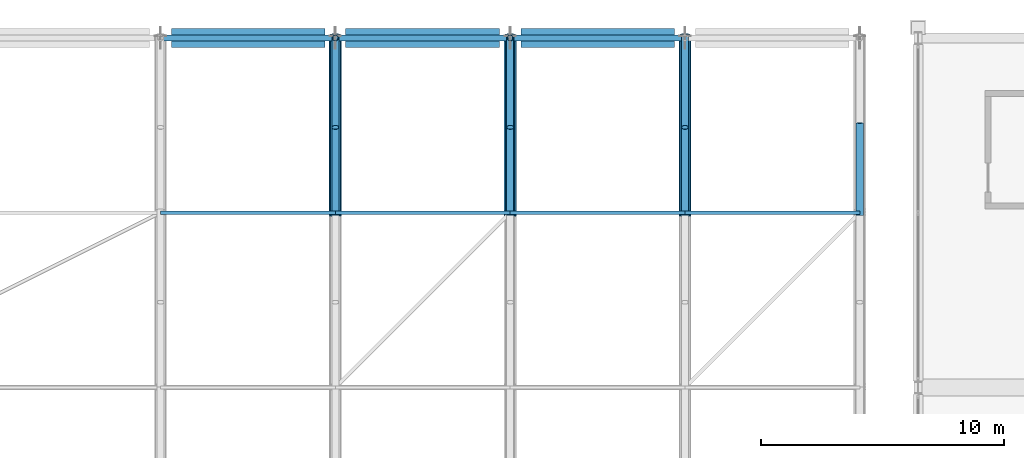
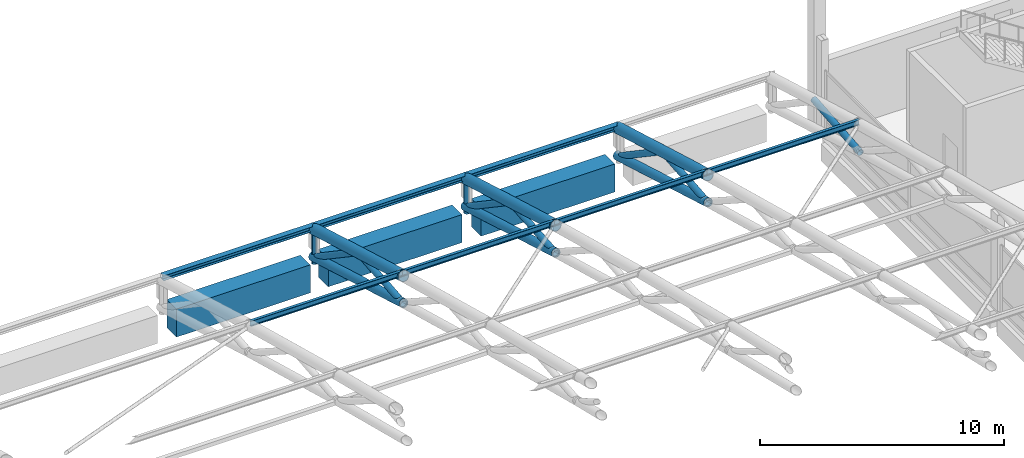
# One storey, part 101 of 193: 22 members, 3 beams.
"""IFC4 building model written with IfcOpenShell, lengths in metres."""

from ifc_helpers import new_model, si_unit, direction, frame, origin, origin_2d, place, context, subcontext, project, spatial, rectangle, hollow_circle, i_section, extrude, material, material_profile, profile_set, type_object, element, save


model = new_model("IFC4")

# Units and contexts
model_context = context("Model", 3, precision=1e-05, world=origin(), true_north=direction((0.0, 1.0)))
body_context = subcontext(model_context, "Body", "Model", "MODEL_VIEW")
ifc_project = project(units=[si_unit("LENGTHUNIT", "METRE"), si_unit("AREAUNIT", "SQUARE_METRE"), si_unit("VOLUMEUNIT", "CUBIC_METRE"), si_unit("PLANEANGLEUNIT", "RADIAN"), si_unit("MASSUNIT", "GRAM", prefix="KILO")], contexts=[model_context])

# Site, building, storey
site_placement = place(None, origin())
site = spatial("IfcSite", under=ifc_project, at=site_placement, CompositionType="ELEMENT")
building_placement = place(site_placement, origin())
building = spatial("IfcBuilding", under=site, at=building_placement, Name="Cendralis Lancet Convention Centre", CompositionType="ELEMENT")
storey_placement = place(building_placement, frame((0.0, 0.0, 10.199951171875)))
storey = spatial("IfcBuildingStorey", under=building, at=storey_placement, Name="L02", CompositionType="ELEMENT", Elevation=10.199951171875)

# Beams
ifc_material_1 = material(Name="Concrete G40 (C40/50)", Category="concrete")
ifc_material_profile_1 = material_profile(ifc_material_1, rectangle(XDim=0.800048828125, YDim=1.39990234375, at=origin_2d()), Name="RCB 800x1400")
ifc_profile_set_1 = profile_set([ifc_material_profile_1], Name="Concrete G40 (C40/50)")
beam_type = type_object("IfcBeamType", Name="STR-BM-BG17", PredefinedType="BEAM", material=ifc_profile_set_1)
for number, where, z_axis, x_axis, name in (
    (1, (94.050048828125, 136.800048828125, 1.5), (1.0, 0.0, 0.0), (0.0, 1.0, 0.0), "L02 Beam BG17 #1333"),
    (2, (101.22509765625, 136.800048828125, 1.5), (1.0, 0.0, 0.0), (0.0, 1.0, 0.0), "L02 Beam BG17 #1334"),
    (3, (108.449951171875, 136.800048828125, 1.5), (1.0, 0.0, 0.0), (0.0, 1.0, 0.0), "L02 Beam BG17 #1335"),
):
    element("IfcBeam", number, at=place(storey_placement, frame(where, z_axis=z_axis, x_axis=x_axis)), inside=storey, type_object=beam_type, Name=name, PredefinedType="BEAM", context=body_context, shape_type="SweptSolid", body=[
        extrude(rectangle(XDim=0.800048828125, YDim=1.39990234375, at=origin_2d()), origin(), (0.0, 0.0, 1.0), 6.324951171875),
    ])

# Members
ifc_material_2 = material(Name="Steel S355", Category="steel")
ifc_material_profile_2 = material_profile(ifc_material_2, i_section(OverallWidth=0.135009765625, OverallDepth=0.27001953125, WebThickness=0.006591796875, FlangeThickness=0.01025390625, FilletRadius=0.014892578125, at=origin_2d()), Name="IPE 270")
ifc_profile_set_2 = profile_set([ifc_material_profile_2], Name="Steel S355")
member_type_1 = type_object("IfcMemberType", Name="STR-PR-PR01", PredefinedType="PURLIN", material=ifc_profile_set_2)
for number, where, z_axis, x_axis, name in (
    (4, (93.60009765625, 129.60009765625, 5.771728515625), (1.0, 0.0, 0.0), (0.0, 1.0, 0.0), "Vault Roof Purlin PR01 V1-10-11"),
    (5, (100.800048828125, 129.60009765625, 5.771728515625), (1.0, 0.0, 0.0), (0.0, 1.0, 0.0), "Vault Roof Purlin PR01 V1-11-11"),
    (6, (108.0, 129.60009765625, 5.771728515625), (1.0, 0.0, 0.0), (0.0, 1.0, 0.0), "Vault Roof Purlin PR01 V1-12-11"),
    (7, (115.199951171875, 129.60009765625, 5.771728515625), (1.0, 0.0, 0.0), (0.0, 1.0, 0.0), "Vault Roof Purlin PR01 V1-13-11"),
):
    element("IfcMember", number, at=place(storey_placement, frame(where, z_axis=z_axis, x_axis=x_axis)), inside=storey, type_object=member_type_1, Name=name, PredefinedType="PURLIN", context=body_context, shape_type="SweptSolid", body=[
        extrude(i_section(OverallWidth=0.135009765625, OverallDepth=0.27001953125, WebThickness=0.006591796875, FlangeThickness=0.01025390625, FilletRadius=0.014892578125, at=origin_2d()), origin(), (0.0, 0.0, 1.0), 7.199951171875),
    ])
ifc_material_profile_3 = material_profile(ifc_material_2, i_section(OverallWidth=0.260009765625, OverallDepth=0.25, WebThickness=0.007568359375, FlangeThickness=0.012451171875, FilletRadius=0.02392578125, at=origin_2d()), Name="HEA 260")
ifc_profile_set_3 = profile_set([ifc_material_profile_3], Name="Steel S355")
member_type_2 = type_object("IfcMemberType", Name="STR-PR-PR07", PredefinedType="PURLIN", material=ifc_profile_set_3)
for number, where, z_axis, x_axis, name in (
    (8, (93.60009765625, 136.800048828125, 3.72509765625), (1.0, 0.0, 0.0), (0.0, 1.0, 0.0), "Vault Roof Purlin PR07 V1-10-12"),
    (9, (100.800048828125, 136.800048828125, 3.72509765625), (1.0, 0.0, 0.0), (0.0, 1.0, 0.0), "Vault Roof Purlin PR07 V1-11-12"),
    (10, (108.0, 136.800048828125, 3.72509765625), (1.0, 0.0, 0.0), (0.0, 1.0, 0.0), "Vault Roof Purlin PR07 V1-12-12"),
):
    element("IfcMember", number, at=place(storey_placement, frame(where, z_axis=z_axis, x_axis=x_axis)), inside=storey, type_object=member_type_2, Name=name, PredefinedType="PURLIN", context=body_context, shape_type="SweptSolid", body=[
        extrude(i_section(OverallWidth=0.260009765625, OverallDepth=0.25, WebThickness=0.007568359375, FlangeThickness=0.012451171875, FilletRadius=0.02392578125, at=origin_2d()), origin(), (0.0, 0.0, 1.0), 7.199951171875),
    ])
ifc_material_profile_4 = material_profile(ifc_material_2, hollow_circle(Radius=0.203125, WallThickness=0.01611328125, at=origin_2d()), Name="CHS 406.4x16.0")
ifc_profile_set_4 = profile_set([ifc_material_profile_4], Name="Steel S355")
member_type_3 = type_object("IfcMemberType", Name="STR-TR-BC01-INT", PredefinedType="CHORD", material=ifc_profile_set_4)
for number, where, z_axis, x_axis, name in (
    (11, (100.800048828125, 129.48486328125, 4.32763671875), (0.0, 0.960210680483, -0.279276653315), (-1.0, 0.0, 0.0), "ROOF TRUSS AT-V1-12 Bottom Chord 11"),
    (12, (108.0, 129.48486328125, 4.32763671875), (0.0, 0.960210680483, -0.279276653315), (-1.0, 0.0, 0.0), "ROOF TRUSS AT-V1-13 Bottom Chord 11"),
    (13, (115.199951171875, 129.48486328125, 4.32763671875), (0.0, 0.960210680483, -0.279276653315), (-1.0, 0.0, 0.0), "ROOF TRUSS AT-V1-14 Bottom Chord 11"),
):
    element("IfcMember", number, at=place(storey_placement, frame(where, z_axis=z_axis, x_axis=x_axis)), inside=storey, type_object=member_type_3, Name=name, PredefinedType="CHORD", context=body_context, shape_type="SweptSolid", body=[
        extrude(hollow_circle(Radius=0.203125, WallThickness=0.01611328125, at=origin_2d()), origin(), (0.0, 0.0, 1.0), 7.73828125),
    ])
ifc_material_profile_5 = material_profile(ifc_material_2, hollow_circle(Radius=0.25390625, WallThickness=0.02001953125, at=origin_2d()), Name="CHS 508.0x20.0")
ifc_profile_set_5 = profile_set([ifc_material_profile_5], Name="Steel S355")
member_type_4 = type_object("IfcMemberType", Name="STR-TR-TC01-INT", PredefinedType="CHORD", material=ifc_profile_set_5)
for number, where, z_axis, x_axis, name in (
    (14, (100.800048828125, 129.484619140625, 5.689697265625), (0.0, 0.961540636093, -0.274662711598), (-1.0, 0.0, 0.0), "ROOF TRUSS AT-V1-12 Top Chord 11"),
    (15, (108.0, 129.484619140625, 5.689697265625), (0.0, 0.961540636093, -0.274662711598), (-1.0, 0.0, 0.0), "ROOF TRUSS AT-V1-13 Top Chord 11"),
    (16, (115.199951171875, 129.484619140625, 5.689697265625), (0.0, 0.961540636093, -0.274662711598), (-1.0, 0.0, 0.0), "ROOF TRUSS AT-V1-14 Top Chord 11"),
):
    element("IfcMember", number, at=place(storey_placement, frame(where, z_axis=z_axis, x_axis=x_axis)), inside=storey, type_object=member_type_4, Name=name, PredefinedType="CHORD", context=body_context, shape_type="SweptSolid", body=[
        extrude(hollow_circle(Radius=0.25390625, WallThickness=0.02001953125, at=origin_2d()), origin(), (0.0, 0.0, 1.0), 7.727783203125),
    ])
ifc_material_profile_6 = material_profile(ifc_material_2, hollow_circle(Radius=0.149169921875, WallThickness=0.012451171875, at=origin_2d()), Name="CHS 298.5x12.5")
ifc_profile_set_6 = profile_set([ifc_material_profile_6], Name="Steel S355")
member_type_5 = type_object("IfcMemberType", Name="STR-TR-WD01", PredefinedType="BRACE", material=ifc_profile_set_6)
member_1_placement = place(storey_placement, frame((122.39990234375, 129.50048828125, 4.284912109375), z_axis=(0.0, 0.995716162115, 0.092462557307), x_axis=(-1.0, 0.0, 0.0)))
element("IfcMember", 17, at=member_1_placement, inside=storey, type_object=member_type_5, Name="ROOF TRUSS AT-V1-15 Warren Web 11-0", PredefinedType="BRACE", context=body_context, shape_type="SweptSolid", body=[
    extrude(hollow_circle(Radius=0.149169921875, WallThickness=0.012451171875, at=origin_2d()), origin(), (0.0, 0.0, 1.0), 3.8154296875),
])
ifc_material_profile_7 = material_profile(ifc_material_2, hollow_circle(Radius=0.149169921875, WallThickness=0.012451171875, at=origin_2d()), Name="CHS 298.5x12.5")
ifc_profile_set_7 = profile_set([ifc_material_profile_7], Name="Steel S355")
member_type_6 = type_object("IfcMemberType", Name="STR-TR-WD01-INT", PredefinedType="BRACE", material=ifc_profile_set_7)
member_2_placement = place(storey_placement, frame((100.800048828125, 129.50048828125, 4.284912109375), z_axis=(0.0, 0.995716162115, 0.092462557307), x_axis=(-1.0, 0.0, 0.0)))
element("IfcMember", 18, at=member_2_placement, inside=storey, type_object=member_type_6, Name="ROOF TRUSS AT-V1-12 Warren Web 11-0", PredefinedType="BRACE", context=body_context, shape_type="SweptSolid", body=[
    extrude(hollow_circle(Radius=0.149169921875, WallThickness=0.012451171875, at=origin_2d()), origin(), (0.0, 0.0, 1.0), 3.8154296875),
])
member_3_placement = place(storey_placement, frame((100.800048828125, 133.1171875, 4.684326171875), z_axis=(0.0, 0.82900316973, -0.559243904372), x_axis=(-1.0, 0.0, 0.0)))
element("IfcMember", 19, at=member_3_placement, inside=storey, type_object=member_type_6, Name="ROOF TRUSS AT-V1-12 Warren Web 11-1", PredefinedType="BRACE", context=body_context, shape_type="SweptSolid", body=[
    extrude(hollow_circle(Radius=0.149169921875, WallThickness=0.012451171875, at=origin_2d()), origin(), (0.0, 0.0, 1.0), 4.542236328125),
])
member_4_placement = place(storey_placement, frame((108.0, 129.50048828125, 4.284912109375), z_axis=(0.0, 0.995716162115, 0.092462557307), x_axis=(-1.0, 0.0, 0.0)))
element("IfcMember", 20, at=member_4_placement, inside=storey, type_object=member_type_6, Name="ROOF TRUSS AT-V1-13 Warren Web 11-0", PredefinedType="BRACE", context=body_context, shape_type="SweptSolid", body=[
    extrude(hollow_circle(Radius=0.149169921875, WallThickness=0.012451171875, at=origin_2d()), origin(), (0.0, 0.0, 1.0), 3.8154296875),
])
member_5_placement = place(storey_placement, frame((108.0, 133.1171875, 4.684326171875), z_axis=(0.0, 0.82900316973, -0.559243904372), x_axis=(-1.0, 0.0, 0.0)))
element("IfcMember", 21, at=member_5_placement, inside=storey, type_object=member_type_6, Name="ROOF TRUSS AT-V1-13 Warren Web 11-1", PredefinedType="BRACE", context=body_context, shape_type="SweptSolid", body=[
    extrude(hollow_circle(Radius=0.149169921875, WallThickness=0.012451171875, at=origin_2d()), origin(), (0.0, 0.0, 1.0), 4.542236328125),
])
member_6_placement = place(storey_placement, frame((115.199951171875, 129.50048828125, 4.284912109375), z_axis=(0.0, 0.995716162115, 0.092462557307), x_axis=(-1.0, 0.0, 0.0)))
element("IfcMember", 22, at=member_6_placement, inside=storey, type_object=member_type_6, Name="ROOF TRUSS AT-V1-14 Warren Web 11-0", PredefinedType="BRACE", context=body_context, shape_type="SweptSolid", body=[
    extrude(hollow_circle(Radius=0.149169921875, WallThickness=0.012451171875, at=origin_2d()), origin(), (0.0, 0.0, 1.0), 3.8154296875),
])
member_7_placement = place(storey_placement, frame((115.199951171875, 133.1171875, 4.684326171875), z_axis=(0.0, 0.82900316973, -0.559243904372), x_axis=(-1.0, 0.0, 0.0)))
element("IfcMember", 23, at=member_7_placement, inside=storey, type_object=member_type_6, Name="ROOF TRUSS AT-V1-14 Warren Web 11-1", PredefinedType="BRACE", context=body_context, shape_type="SweptSolid", body=[
    extrude(hollow_circle(Radius=0.149169921875, WallThickness=0.012451171875, at=origin_2d()), origin(), (0.0, 0.0, 1.0), 4.542236328125),
])
ifc_material_profile_8 = material_profile(ifc_material_2, hollow_circle(Radius=0.122314453125, WallThickness=0.010009765625, at=origin_2d()), Name="CHS 244.5x10.0")
ifc_profile_set_8 = profile_set([ifc_material_profile_8], Name="Steel S355")
member_type_7 = type_object("IfcMemberType", Name="STR-TR-WV01-INT", PredefinedType="POST", material=ifc_profile_set_8)
for number, where, z_axis, x_axis, name in (
    (24, (100.800048828125, 136.800048828125, 1.900146484375), (0.0, 0.0, 1.0), (1.0, 0.0, 0.0), "ROOF TRUSS AT-V1-12 Springing Post N12"),
    (25, (108.0, 136.800048828125, 1.900146484375), (0.0, 0.0, 1.0), (1.0, 0.0, 0.0), "ROOF TRUSS AT-V1-13 Springing Post N12"),
):
    element("IfcMember", number, at=place(storey_placement, frame(where, z_axis=z_axis, x_axis=x_axis)), inside=storey, type_object=member_type_7, Name=name, PredefinedType="POST", context=body_context, shape_type="SweptSolid", body=[
        extrude(hollow_circle(Radius=0.122314453125, WallThickness=0.010009765625, at=origin_2d()), origin(), (0.0, 0.0, 1.0), 1.919921875),
    ])

save(model, "model.ifc")
